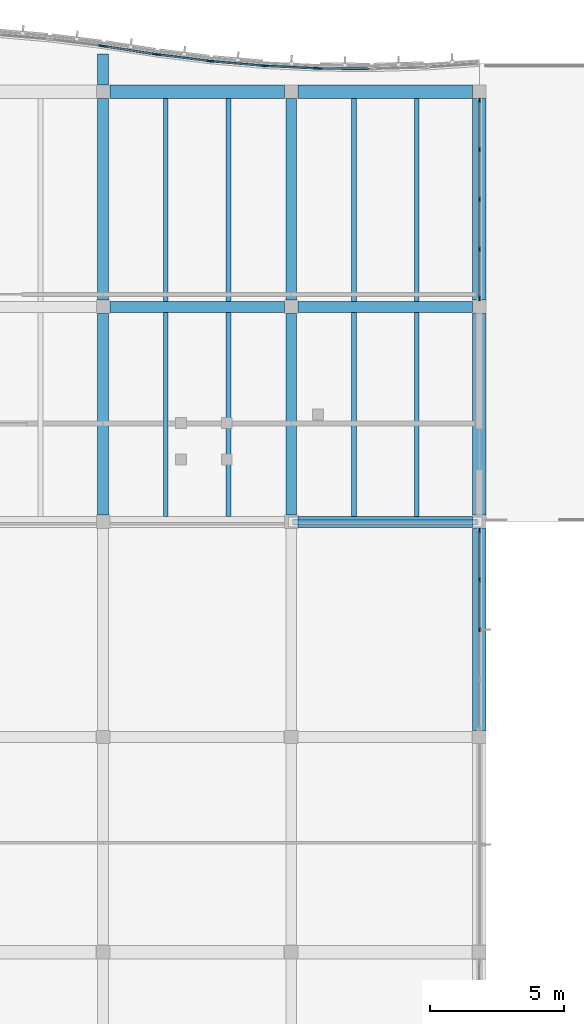
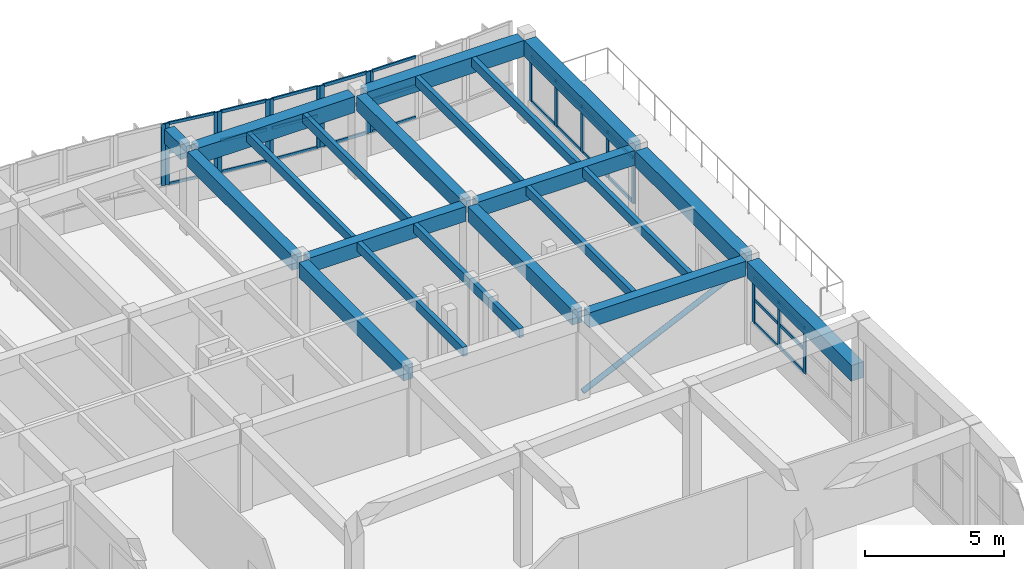
# One storey, part 41 of 89: 48 members, 21 beams, 8 elements without a shape of their own.
"""IFC4 building model written with IfcOpenShell, lengths in metres."""

from ifc_helpers import new_model, si_unit, direction, frame, origin, origin_2d, place, context, subcontext, project, spatial, rectangle, hollow_circle, extrude, material, layer, layer_set, material_profile, profile_set, type_object, element, aggregate, save


model = new_model("IFC4")

# Units and contexts
model_context = context("Model", 3, precision=1e-05, world=origin(), true_north=direction((0.0, 1.0)))
body_context = subcontext(model_context, "Body", "Model", "MODEL_VIEW")
ifc_project = project(units=[si_unit("LENGTHUNIT", "METRE"), si_unit("AREAUNIT", "SQUARE_METRE"), si_unit("VOLUMEUNIT", "CUBIC_METRE"), si_unit("PLANEANGLEUNIT", "RADIAN"), si_unit("MASSUNIT", "GRAM", prefix="KILO")], contexts=[model_context])

# Site, building, storey
site_placement = place(None, origin())
site = spatial("IfcSite", under=ifc_project, at=site_placement, CompositionType="ELEMENT")
building_placement = place(site_placement, origin())
building = spatial("IfcBuilding", under=site, at=building_placement, Name="Tonlespit Floodbar School", CompositionType="ELEMENT")
storey_placement = place(building_placement, frame((0.0, 0.0, 4.5)))
storey = spatial("IfcBuildingStorey", under=building, at=storey_placement, Name="L01", CompositionType="ELEMENT", Elevation=4.5)

# Beams
ifc_material_1 = material(Name="Concrete C40/50", Category="concrete")
ifc_material_profile_1 = material_profile(ifc_material_1, rectangle(XDim=0.39990234375, YDim=0.64990234375, at=origin_2d()), Name="RC 400x650")
ifc_profile_set_1 = profile_set([ifc_material_profile_1], Name="Concrete C40/50")
beam_type_1 = type_object("IfcBeamType", Name="Beam_RC_400x650", PredefinedType="BEAM", material=ifc_profile_set_1)
for number, where, z_axis, x_axis, name in (
    (1, (169.25, 104.0, 3.322998046875), (1.0, 0.0, 0.0), (0.0, 1.0, 0.0), "L01 girder 0644"),
    (2, (162.25, 112.0, 3.320068359375), (1.0, 0.0, 0.0), (0.0, 1.0, 0.0), "L01 girder 0653"),
    (3, (169.25, 112.0, 3.322998046875), (1.0, 0.0, 0.0), (0.0, 1.0, 0.0), "L01 girder 0654"),
):
    element("IfcBeam", number, at=place(storey_placement, frame(where, z_axis=z_axis, x_axis=x_axis)), inside=storey, type_object=beam_type_1, Name=name, PredefinedType="BEAM", context=body_context, shape_type="SweptSolid", body=[
        extrude(rectangle(XDim=0.39990234375, YDim=0.64990234375, at=origin_2d()), origin(), (0.0, 0.0, 1.0), 6.5),
    ])
for number, where, z_axis, x_axis, name in (
    (4, (162.0, 104.25, 3.320068359375), (0.0, 1.0, 0.0), (-1.0, 0.0, 0.0), "L01 girder 0773"),
    (5, (162.0, 112.25, 3.320068359375), (0.0, 1.0, 0.0), (-1.0, 0.0, 0.0), "L01 girder 0774"),
    (6, (169.0, 104.25, 3.320068359375), (0.0, 1.0, 0.0), (-1.0, 0.0, 0.0), "L01 girder 0780"),
    (7, (169.0, 112.25, 3.320068359375), (0.0, 1.0, 0.0), (-1.0, 0.0, 0.0), "L01 girder 0781"),
):
    element("IfcBeam", number, at=place(storey_placement, frame(where, z_axis=z_axis, x_axis=x_axis)), inside=storey, type_object=beam_type_1, Name=name, PredefinedType="BEAM", context=body_context, shape_type="SweptSolid", body=[
        extrude(rectangle(XDim=0.39990234375, YDim=0.64990234375, at=origin_2d()), origin(), (0.0, 0.0, 1.0), 7.5),
    ])
beam_placement = place(storey_placement, frame((162.0, 120.25, 3.320068359375), z_axis=(0.0, 1.0, 0.0), x_axis=(-1.0, 0.0, 0.0)))
element("IfcBeam", 8, at=beam_placement, inside=storey, type_object=beam_type_1, Name="L01 north street wave cantilever bracket", PredefinedType="BEAM", context=body_context, shape_type="SweptSolid", body=[
    extrude(rectangle(XDim=0.39990234375, YDim=0.64990234375, at=origin_2d()), origin(), (0.0, 0.0, 1.0), 1.15576171875),
])

# Member
ifc_material_2 = material(Name="Steel S355", Category="steel")
ifc_material_profile_2 = material_profile(ifc_material_2, hollow_circle(Radius=0.109619140625, WallThickness=0.008056640625, at=origin_2d()), Name="CHS 219.1x8")
ifc_profile_set_2 = profile_set([ifc_material_profile_2], Name="Steel S355")
member_type_1 = type_object("IfcMemberType", Name="Brace_Ext_CHS219", PredefinedType="BRACE", material=ifc_profile_set_2)
member_1_placement = place(storey_placement, frame((169.080078125, 104.0, 0.14990234375), z_axis=(0.905763109205, 0.0, 0.423784367342), x_axis=(0.0, 1.0, 0.0)))
element("IfcMember", 9, at=member_1_placement, inside=storey, type_object=member_type_1, Name="L01 exposed deconstructivist lateral brace 4", PredefinedType="BRACE", context=body_context, shape_type="SweptSolid", body=[
    extrude(hollow_circle(Radius=0.109619140625, WallThickness=0.008056640625, at=origin_2d()), origin(), (0.0, 0.0, 1.0), 7.551513671875),
])

# Curtain wall, members
ifc_material_3 = material(Name="Anodised Aluminium", Category="aluminium")
ifc_layer_1 = layer(ifc_material_3, 0.159912109375)
ifc_layer_set_1 = layer_set([ifc_layer_1], Name="Anodised Aluminium")
curtain_wall_type_1 = type_object("IfcCurtainWallType", Name="CurtainWall_1950x2700", PredefinedType="NOTDEFINED", material=ifc_layer_set_1)
curtain_wall_1_placement = place(storey_placement, origin())
curtain_wall_1 = element("IfcCurtainWall", 10, at=curtain_wall_1_placement, inside=storey, type_object=curtain_wall_type_1, Name="L01 unitised curtain wall 0400", PredefinedType="NOTDEFINED")
ifc_material_profile_3 = material_profile(ifc_material_3, rectangle(XDim=0.06494140625, YDim=0.14990234375, at=origin_2d()), Name="ALU M65x150")
ifc_profile_set_3 = profile_set([ifc_material_profile_3], Name="Anodised Aluminium")
member_type_2 = type_object("IfcMemberType", Name="CW_Mullion_65x150", PredefinedType="MULLION", material=ifc_profile_set_3)
member_2_placement = place(storey_placement, frame((162.071533203125, 121.694580078125, 0.949951171875), z_axis=(0.0, 0.0, 1.0), x_axis=(0.153796288585, 0.988102576465, 0.0)))
member_2 = element("IfcMember", 11, at=member_2_placement, type_object=member_type_2, Name="CW-04 mullion 1", PredefinedType="MULLION", context=body_context, shape_type="SweptSolid", body=[
    extrude(rectangle(XDim=0.06494140625, YDim=0.14990234375, at=origin_2d()), origin(), (0.0, 0.0, 1.0), 2.699951171875),
])
member_3_placement = place(storey_placement, frame((163.928466796875, 121.405517578125, 0.949951171875), z_axis=(0.0, 0.0, 1.0), x_axis=(0.153796288585, 0.988102576465, 0.0)))
member_3 = element("IfcMember", 12, at=member_3_placement, type_object=member_type_2, Name="CW-04 mullion 2", PredefinedType="MULLION", context=body_context, shape_type="SweptSolid", body=[
    extrude(rectangle(XDim=0.06494140625, YDim=0.14990234375, at=origin_2d()), origin(), (0.0, 0.0, 1.0), 2.699951171875),
])

curtain_wall_2_placement = place(storey_placement, origin())
curtain_wall_2 = element("IfcCurtainWall", 13, at=curtain_wall_2_placement, inside=storey, type_object=curtain_wall_type_1, Name="L01 unitised curtain wall 0402", PredefinedType="NOTDEFINED")
member_4_placement = place(storey_placement, frame((166.072265625, 121.135986328125, 0.949951171875), z_axis=(0.0, 0.0, 1.0), x_axis=(0.086531117454, 0.996249148412, 0.0)))
member_4 = element("IfcMember", 14, at=member_4_placement, type_object=member_type_2, Name="CW-04 mullion 1", PredefinedType="MULLION", context=body_context, shape_type="SweptSolid", body=[
    extrude(rectangle(XDim=0.06494140625, YDim=0.14990234375, at=origin_2d()), origin(), (0.0, 0.0, 1.0), 2.699951171875),
])
member_5_placement = place(storey_placement, frame((167.927734375, 120.974853515625, 0.949951171875), z_axis=(0.0, 0.0, 1.0), x_axis=(0.086531117454, 0.996249148412, 0.0)))
member_5 = element("IfcMember", 15, at=member_5_placement, type_object=member_type_2, Name="CW-04 mullion 2", PredefinedType="MULLION", context=body_context, shape_type="SweptSolid", body=[
    extrude(rectangle(XDim=0.06494140625, YDim=0.14990234375, at=origin_2d()), origin(), (0.0, 0.0, 1.0), 2.699951171875),
])

# Curtain wall, member
ifc_layer_2 = layer(ifc_material_3, 0.159912109375)
ifc_layer_set_2 = layer_set([ifc_layer_2], Name="Anodised Aluminium")
curtain_wall_type_2 = type_object("IfcCurtainWallType", Name="CurtainWall_1900x2700", PredefinedType="NOTDEFINED", material=ifc_layer_set_2)
curtain_wall_3_placement = place(storey_placement, origin())
curtain_wall_3 = element("IfcCurtainWall", 16, at=curtain_wall_3_placement, inside=storey, type_object=curtain_wall_type_2, Name="L01 unitised curtain wall 0404", PredefinedType="NOTDEFINED")
member_6_placement = place(storey_placement, frame((170.072509765625, 120.87158203125, 0.949951171875), z_axis=(0.0, 0.0, 1.0), x_axis=(0.009582893292, 0.999954083024, 0.0)))
member_6 = element("IfcMember", 17, at=member_6_placement, type_object=member_type_2, Name="CW-05 mullion 1", PredefinedType="MULLION", context=body_context, shape_type="SweptSolid", body=[
    extrude(rectangle(XDim=0.06494140625, YDim=0.14990234375, at=origin_2d()), origin(), (0.0, 0.0, 1.0), 2.699951171875),
])

curtain_wall_4_placement = place(storey_placement, origin())
curtain_wall_4 = element("IfcCurtainWall", 18, at=curtain_wall_4_placement, inside=storey, type_object=curtain_wall_type_1, Name="L01 unitised curtain wall 0399", PredefinedType="NOTDEFINED")
ifc_material_profile_4 = material_profile(ifc_material_3, rectangle(XDim=0.06494140625, YDim=0.179931640625, at=origin_2d()), Name="ALU M65x180")
ifc_profile_set_4 = profile_set([ifc_material_profile_4], Name="Anodised Aluminium")
member_type_3 = type_object("IfcMemberType", Name="CW_Mullion_65x180", PredefinedType="MULLION", material=ifc_profile_set_4)
member_7_placement = place(storey_placement, frame((161.927978515625, 121.71484375, 0.949951171875), z_axis=(0.0, 0.0, 1.0), x_axis=(0.125013803299, 0.992155002499, 0.0)))
member_7 = element("IfcMember", 19, at=member_7_placement, type_object=member_type_3, Name="CW-04 mullion 2", PredefinedType="MULLION", context=body_context, shape_type="SweptSolid", body=[
    extrude(rectangle(XDim=0.06494140625, YDim=0.179931640625, at=origin_2d()), origin(), (0.0, 0.0, 1.0), 2.699951171875),
])
aggregate(curtain_wall_4, [member_7])

# Curtain wall, members
curtain_wall_5_placement = place(storey_placement, origin())
curtain_wall_5 = element("IfcCurtainWall", 20, at=curtain_wall_5_placement, inside=storey, type_object=curtain_wall_type_1, Name="L01 unitised curtain wall 0401", PredefinedType="NOTDEFINED")
member_8_placement = place(storey_placement, frame((164.072021484375, 121.38525390625, 0.949951171875), z_axis=(0.0, 0.0, 1.0), x_axis=(0.125013803299, 0.992155002499, 0.0)))
member_8 = element("IfcMember", 21, at=member_8_placement, type_object=member_type_3, Name="CW-04 mullion 1", PredefinedType="MULLION", context=body_context, shape_type="SweptSolid", body=[
    extrude(rectangle(XDim=0.06494140625, YDim=0.179931640625, at=origin_2d()), origin(), (0.0, 0.0, 1.0), 2.699951171875),
])
member_9_placement = place(storey_placement, frame((165.927978515625, 121.1513671875, 0.949951171875), z_axis=(0.0, 0.0, 1.0), x_axis=(0.125013803299, 0.992155002499, 0.0)))
member_9 = element("IfcMember", 22, at=member_9_placement, type_object=member_type_3, Name="CW-04 mullion 2", PredefinedType="MULLION", context=body_context, shape_type="SweptSolid", body=[
    extrude(rectangle(XDim=0.06494140625, YDim=0.179931640625, at=origin_2d()), origin(), (0.0, 0.0, 1.0), 2.699951171875),
])

curtain_wall_6_placement = place(storey_placement, origin())
curtain_wall_6 = element("IfcCurtainWall", 23, at=curtain_wall_6_placement, inside=storey, type_object=curtain_wall_type_2, Name="L01 unitised curtain wall 0403", PredefinedType="NOTDEFINED")
member_10_placement = place(storey_placement, frame((168.072509765625, 120.965087890625, 0.949951171875), z_axis=(0.0, 0.0, 1.0), x_axis=(0.048121270216, 0.998841500616, 0.0)))
member_10 = element("IfcMember", 24, at=member_10_placement, type_object=member_type_3, Name="CW-05 mullion 1", PredefinedType="MULLION", context=body_context, shape_type="SweptSolid", body=[
    extrude(rectangle(XDim=0.06494140625, YDim=0.179931640625, at=origin_2d()), origin(), (0.0, 0.0, 1.0), 2.699951171875),
])
member_11_placement = place(storey_placement, frame((169.927490234375, 120.875732421875, 0.949951171875), z_axis=(0.0, 0.0, 1.0), x_axis=(0.048121270216, 0.998841500616, 0.0)))
member_11 = element("IfcMember", 25, at=member_11_placement, type_object=member_type_3, Name="CW-05 mullion 2", PredefinedType="MULLION", context=body_context, shape_type="SweptSolid", body=[
    extrude(rectangle(XDim=0.06494140625, YDim=0.179931640625, at=origin_2d()), origin(), (0.0, 0.0, 1.0), 2.699951171875),
])

ifc_layer_3 = layer(ifc_material_3, 0.159912109375)
ifc_layer_set_3 = layer_set([ifc_layer_3], Name="Anodised Aluminium")
curtain_wall_type_3 = type_object("IfcCurtainWallType", Name="CurtainWall_7400x2000", PredefinedType="NOTDEFINED", material=ifc_layer_set_3)
curtain_wall_7_placement = place(storey_placement, origin())
curtain_wall_7 = element("IfcCurtainWall", 26, at=curtain_wall_7_placement, inside=storey, type_object=curtain_wall_type_3, Name="L01 unitised curtain wall 0407", PredefinedType="NOTDEFINED")
member_12_placement = place(storey_placement, frame((176.0, 119.677490234375, 0.949951171875), z_axis=(0.0, 0.0, 1.0), x_axis=(1.0, 0.0, 0.0)))
member_12 = element("IfcMember", 27, at=member_12_placement, type_object=member_type_3, Name="CW-60 mullion 1", PredefinedType="MULLION", context=body_context, shape_type="SweptSolid", body=[
    extrude(rectangle(XDim=0.06494140625, YDim=0.179931640625, at=origin_2d()), origin(), (0.0, 0.0, 1.0), 1.998046875),
])
member_13_placement = place(storey_placement, frame((176.0, 117.85498046875, 0.949951171875), z_axis=(0.0, 0.0, 1.0), x_axis=(1.0, 0.0, 0.0)))
member_13 = element("IfcMember", 28, at=member_13_placement, type_object=member_type_3, Name="CW-60 mullion 2", PredefinedType="MULLION", context=body_context, shape_type="SweptSolid", body=[
    extrude(rectangle(XDim=0.06494140625, YDim=0.179931640625, at=origin_2d()), origin(), (0.0, 0.0, 1.0), 1.998046875),
])
member_14_placement = place(storey_placement, frame((176.0, 116.0, 0.949951171875), z_axis=(0.0, 0.0, 1.0), x_axis=(1.0, 0.0, 0.0)))
member_14 = element("IfcMember", 29, at=member_14_placement, type_object=member_type_3, Name="CW-60 mullion 3", PredefinedType="MULLION", context=body_context, shape_type="SweptSolid", body=[
    extrude(rectangle(XDim=0.06494140625, YDim=0.179931640625, at=origin_2d()), origin(), (0.0, 0.0, 1.0), 1.998046875),
])
member_15_placement = place(storey_placement, frame((176.0, 114.14501953125, 0.949951171875), z_axis=(0.0, 0.0, 1.0), x_axis=(1.0, 0.0, 0.0)))
member_15 = element("IfcMember", 30, at=member_15_placement, type_object=member_type_3, Name="CW-60 mullion 4", PredefinedType="MULLION", context=body_context, shape_type="SweptSolid", body=[
    extrude(rectangle(XDim=0.06494140625, YDim=0.179931640625, at=origin_2d()), origin(), (0.0, 0.0, 1.0), 1.998046875),
])
member_16_placement = place(storey_placement, frame((176.0, 112.322509765625, 0.949951171875), z_axis=(0.0, 0.0, 1.0), x_axis=(1.0, 0.0, 0.0)))
member_16 = element("IfcMember", 31, at=member_16_placement, type_object=member_type_3, Name="CW-60 mullion 5", PredefinedType="MULLION", context=body_context, shape_type="SweptSolid", body=[
    extrude(rectangle(XDim=0.06494140625, YDim=0.179931640625, at=origin_2d()), origin(), (0.0, 0.0, 1.0), 1.998046875),
])

curtain_wall_8_placement = place(storey_placement, origin())
curtain_wall_8 = element("IfcCurtainWall", 32, at=curtain_wall_8_placement, inside=storey, type_object=curtain_wall_type_3, Name="L01 unitised curtain wall 0411", PredefinedType="NOTDEFINED")
member_17_placement = place(storey_placement, frame((176.0, 103.677490234375, 0.949951171875), z_axis=(0.0, 0.0, 1.0), x_axis=(1.0, 0.0, 0.0)))
member_17 = element("IfcMember", 33, at=member_17_placement, type_object=member_type_3, Name="CW-60 mullion 1", PredefinedType="MULLION", context=body_context, shape_type="SweptSolid", body=[
    extrude(rectangle(XDim=0.06494140625, YDim=0.179931640625, at=origin_2d()), origin(), (0.0, 0.0, 1.0), 2.0),
])
member_18_placement = place(storey_placement, frame((176.0, 101.85498046875, 0.949951171875), z_axis=(0.0, 0.0, 1.0), x_axis=(1.0, 0.0, 0.0)))
member_18 = element("IfcMember", 34, at=member_18_placement, type_object=member_type_3, Name="CW-60 mullion 2", PredefinedType="MULLION", context=body_context, shape_type="SweptSolid", body=[
    extrude(rectangle(XDim=0.06494140625, YDim=0.179931640625, at=origin_2d()), origin(), (0.0, 0.0, 1.0), 2.0),
])
member_19_placement = place(storey_placement, frame((176.0, 100.0, 0.949951171875), z_axis=(0.0, 0.0, 1.0), x_axis=(1.0, 0.0, 0.0)))
member_19 = element("IfcMember", 35, at=member_19_placement, type_object=member_type_3, Name="CW-60 mullion 3", PredefinedType="MULLION", context=body_context, shape_type="SweptSolid", body=[
    extrude(rectangle(XDim=0.06494140625, YDim=0.179931640625, at=origin_2d()), origin(), (0.0, 0.0, 1.0), 2.0),
])

# Member
ifc_material_profile_5 = material_profile(ifc_material_3, rectangle(XDim=0.06494140625, YDim=0.1201171875, at=origin_2d()), Name="ALU T65x120")
ifc_profile_set_5 = profile_set([ifc_material_profile_5], Name="Anodised Aluminium")
member_type_4 = type_object("IfcMemberType", Name="CW_Transom_65x120", PredefinedType="USERDEFINED", material=ifc_profile_set_5)
member_20_placement = place(storey_placement, frame((162.103759765625, 121.689453125, 0.982421875), z_axis=(0.988097838313, -0.15382672694, 0.0), x_axis=(0.15382672694, 0.988097838313, 0.0)))
member_20 = element("IfcMember", 36, at=member_20_placement, type_object=member_type_4, Name="CW-04 transom 1.1", ObjectType="TRANSOM", PredefinedType="USERDEFINED", context=body_context, shape_type="SweptSolid", body=[
    extrude(rectangle(XDim=0.06494140625, YDim=0.1201171875, at=origin_2d()), origin(), (0.0, 0.0, 1.0), 1.81396484375),
])

member_21_placement = place(storey_placement, frame((162.103759765625, 121.689453125, 2.35400390625), z_axis=(0.988097838313, -0.15382672694, 0.0), x_axis=(0.15382672694, 0.988097838313, 0.0)))
member_21 = element("IfcMember", 37, at=member_21_placement, type_object=member_type_4, Name="CW-04 transom 1.2", ObjectType="TRANSOM", PredefinedType="USERDEFINED", context=body_context, shape_type="SweptSolid", body=[
    extrude(rectangle(XDim=0.06494140625, YDim=0.1201171875, at=origin_2d()), origin(), (0.0, 0.0, 1.0), 1.81396484375),
])

member_22_placement = place(storey_placement, frame((162.103759765625, 121.689453125, 3.617431640625), z_axis=(0.988097838313, -0.15382672694, 0.0), x_axis=(0.15382672694, 0.988097838313, 0.0)))
member_22 = element("IfcMember", 38, at=member_22_placement, type_object=member_type_4, Name="CW-04 transom 1.3", ObjectType="TRANSOM", PredefinedType="USERDEFINED", context=body_context, shape_type="SweptSolid", body=[
    extrude(rectangle(XDim=0.06494140625, YDim=0.1201171875, at=origin_2d()), origin(), (0.0, 0.0, 1.0), 1.81396484375),
])

aggregate(curtain_wall_1, [member_2, member_3, member_20, member_21, member_22])

member_23_placement = place(storey_placement, frame((166.1044921875, 121.133056640625, 0.982421875), z_axis=(0.996251281774, -0.086506552139, 0.0), x_axis=(0.086506552139, 0.996251281774, 0.0)))
member_23 = element("IfcMember", 39, at=member_23_placement, type_object=member_type_4, Name="CW-04 transom 1.1", ObjectType="TRANSOM", PredefinedType="USERDEFINED", context=body_context, shape_type="SweptSolid", body=[
    extrude(rectangle(XDim=0.06494140625, YDim=0.1201171875, at=origin_2d()), origin(), (0.0, 0.0, 1.0), 1.7978515625),
])

member_24_placement = place(storey_placement, frame((166.1044921875, 121.133056640625, 2.35400390625), z_axis=(0.996251281774, -0.086506552139, 0.0), x_axis=(0.086506552139, 0.996251281774, 0.0)))
member_24 = element("IfcMember", 40, at=member_24_placement, type_object=member_type_4, Name="CW-04 transom 1.2", ObjectType="TRANSOM", PredefinedType="USERDEFINED", context=body_context, shape_type="SweptSolid", body=[
    extrude(rectangle(XDim=0.06494140625, YDim=0.1201171875, at=origin_2d()), origin(), (0.0, 0.0, 1.0), 1.7978515625),
])

member_25_placement = place(storey_placement, frame((166.1044921875, 121.133056640625, 3.617431640625), z_axis=(0.996251281774, -0.086506552139, 0.0), x_axis=(0.086506552139, 0.996251281774, 0.0)))
member_25 = element("IfcMember", 41, at=member_25_placement, type_object=member_type_4, Name="CW-04 transom 1.3", ObjectType="TRANSOM", PredefinedType="USERDEFINED", context=body_context, shape_type="SweptSolid", body=[
    extrude(rectangle(XDim=0.06494140625, YDim=0.1201171875, at=origin_2d()), origin(), (0.0, 0.0, 1.0), 1.7978515625),
])

aggregate(curtain_wall_2, [member_4, member_5, member_23, member_24, member_25])

member_26_placement = place(storey_placement, frame((170.10498046875, 120.87109375, 0.982421875), z_axis=(0.999954428693, -0.00954675532, 0.0), x_axis=(0.00954675532, 0.999954428693, 0.0)))
member_26 = element("IfcMember", 42, at=member_26_placement, type_object=member_type_4, Name="CW-05 transom 1.1", ObjectType="TRANSOM", PredefinedType="USERDEFINED", context=body_context, shape_type="SweptSolid", body=[
    extrude(rectangle(XDim=0.06494140625, YDim=0.1201171875, at=origin_2d()), origin(), (0.0, 0.0, 1.0), 1.7900390625),
])

member_27_placement = place(storey_placement, frame((170.10498046875, 120.87109375, 2.35400390625), z_axis=(0.999954428693, -0.00954675532, 0.0), x_axis=(0.00954675532, 0.999954428693, 0.0)))
member_27 = element("IfcMember", 43, at=member_27_placement, type_object=member_type_4, Name="CW-05 transom 1.2", ObjectType="TRANSOM", PredefinedType="USERDEFINED", context=body_context, shape_type="SweptSolid", body=[
    extrude(rectangle(XDim=0.06494140625, YDim=0.1201171875, at=origin_2d()), origin(), (0.0, 0.0, 1.0), 1.7900390625),
])

member_28_placement = place(storey_placement, frame((170.10498046875, 120.87109375, 3.617431640625), z_axis=(0.999954428693, -0.00954675532, 0.0), x_axis=(0.00954675532, 0.999954428693, 0.0)))
member_28 = element("IfcMember", 44, at=member_28_placement, type_object=member_type_4, Name="CW-05 transom 1.3", ObjectType="TRANSOM", PredefinedType="USERDEFINED", context=body_context, shape_type="SweptSolid", body=[
    extrude(rectangle(XDim=0.06494140625, YDim=0.1201171875, at=origin_2d()), origin(), (0.0, 0.0, 1.0), 1.7900390625),
])

aggregate(curtain_wall_3, [member_6, member_26, member_27, member_28])

ifc_material_profile_6 = material_profile(ifc_material_3, rectangle(XDim=0.06494140625, YDim=0.139892578125, at=origin_2d()), Name="ALU T65x140")
ifc_profile_set_6 = profile_set([ifc_material_profile_6], Name="Anodised Aluminium")
member_type_5 = type_object("IfcMemberType", Name="CW_Transom_65x140", PredefinedType="USERDEFINED", material=ifc_profile_set_6)
member_29_placement = place(storey_placement, frame((164.104248046875, 121.381103515625, 0.982421875), z_axis=(0.992165142165, -0.124933304901, 0.0), x_axis=(0.124933304901, 0.992165142165, 0.0)))
member_29 = element("IfcMember", 45, at=member_29_placement, type_object=member_type_5, Name="CW-04 transom 1.1", ObjectType="TRANSOM", PredefinedType="USERDEFINED", context=body_context, shape_type="SweptSolid", body=[
    extrude(rectangle(XDim=0.06494140625, YDim=0.139892578125, at=origin_2d()), origin(), (0.0, 0.0, 1.0), 1.8056640625),
])

member_30_placement = place(storey_placement, frame((164.104248046875, 121.381103515625, 2.35400390625), z_axis=(0.992165142165, -0.124933304901, 0.0), x_axis=(0.124933304901, 0.992165142165, 0.0)))
member_30 = element("IfcMember", 46, at=member_30_placement, type_object=member_type_5, Name="CW-04 transom 1.2", ObjectType="TRANSOM", PredefinedType="USERDEFINED", context=body_context, shape_type="SweptSolid", body=[
    extrude(rectangle(XDim=0.06494140625, YDim=0.139892578125, at=origin_2d()), origin(), (0.0, 0.0, 1.0), 1.8056640625),
])

member_31_placement = place(storey_placement, frame((164.104248046875, 121.381103515625, 3.617431640625), z_axis=(0.992165142165, -0.124933304901, 0.0), x_axis=(0.124933304901, 0.992165142165, 0.0)))
member_31 = element("IfcMember", 47, at=member_31_placement, type_object=member_type_5, Name="CW-04 transom 1.3", ObjectType="TRANSOM", PredefinedType="USERDEFINED", context=body_context, shape_type="SweptSolid", body=[
    extrude(rectangle(XDim=0.06494140625, YDim=0.139892578125, at=origin_2d()), origin(), (0.0, 0.0, 1.0), 1.8056640625),
])

aggregate(curtain_wall_5, [member_8, member_9, member_29, member_30, member_31])

member_32_placement = place(storey_placement, frame((168.10498046875, 120.96337890625, 0.982421875), z_axis=(0.998843034795, -0.048089415069, 0.0), x_axis=(0.048089415069, 0.998843034795, 0.0)))
member_32 = element("IfcMember", 48, at=member_32_placement, type_object=member_type_5, Name="CW-05 transom 1.1", ObjectType="TRANSOM", PredefinedType="USERDEFINED", context=body_context, shape_type="SweptSolid", body=[
    extrude(rectangle(XDim=0.06494140625, YDim=0.139892578125, at=origin_2d()), origin(), (0.0, 0.0, 1.0), 1.7919921875),
])

member_33_placement = place(storey_placement, frame((168.10498046875, 120.96337890625, 2.35400390625), z_axis=(0.998843034795, -0.048089415069, 0.0), x_axis=(0.048089415069, 0.998843034795, 0.0)))
member_33 = element("IfcMember", 49, at=member_33_placement, type_object=member_type_5, Name="CW-05 transom 1.2", ObjectType="TRANSOM", PredefinedType="USERDEFINED", context=body_context, shape_type="SweptSolid", body=[
    extrude(rectangle(XDim=0.06494140625, YDim=0.139892578125, at=origin_2d()), origin(), (0.0, 0.0, 1.0), 1.7919921875),
])

member_34_placement = place(storey_placement, frame((168.10498046875, 120.96337890625, 3.617431640625), z_axis=(0.998843034795, -0.048089415069, 0.0), x_axis=(0.048089415069, 0.998843034795, 0.0)))
member_34 = element("IfcMember", 50, at=member_34_placement, type_object=member_type_5, Name="CW-05 transom 1.3", ObjectType="TRANSOM", PredefinedType="USERDEFINED", context=body_context, shape_type="SweptSolid", body=[
    extrude(rectangle(XDim=0.06494140625, YDim=0.139892578125, at=origin_2d()), origin(), (0.0, 0.0, 1.0), 1.7919921875),
])

aggregate(curtain_wall_6, [member_10, member_11, member_32, member_33, member_34])

member_35_placement = place(storey_placement, frame((176.0, 119.64501953125, 0.982421875), z_axis=(0.0, -1.0, 0.0), x_axis=(1.0, 0.0, 0.0)))
member_35 = element("IfcMember", 51, at=member_35_placement, type_object=member_type_5, Name="CW-60 transom 1.1", ObjectType="TRANSOM", PredefinedType="USERDEFINED", context=body_context, shape_type="SweptSolid", body=[
    extrude(rectangle(XDim=0.06494140625, YDim=0.139892578125, at=origin_2d()), origin(), (0.0, 0.0, 1.0), 1.757568359375),
])

member_36_placement = place(storey_placement, frame((176.0, 119.64501953125, 2.91552734375), z_axis=(0.0, -1.0, 0.0), x_axis=(1.0, 0.0, 0.0)))
member_36 = element("IfcMember", 52, at=member_36_placement, type_object=member_type_5, Name="CW-60 transom 1.2", ObjectType="TRANSOM", PredefinedType="USERDEFINED", context=body_context, shape_type="SweptSolid", body=[
    extrude(rectangle(XDim=0.06494140625, YDim=0.139892578125, at=origin_2d()), origin(), (0.0, 0.0, 1.0), 1.757568359375),
])

member_37_placement = place(storey_placement, frame((176.0, 117.822509765625, 0.982421875), z_axis=(0.0, -1.0, 0.0), x_axis=(1.0, 0.0, 0.0)))
member_37 = element("IfcMember", 53, at=member_37_placement, type_object=member_type_5, Name="CW-60 transom 2.1", ObjectType="TRANSOM", PredefinedType="USERDEFINED", context=body_context, shape_type="SweptSolid", body=[
    extrude(rectangle(XDim=0.06494140625, YDim=0.139892578125, at=origin_2d()), origin(), (0.0, 0.0, 1.0), 1.7900390625),
])

member_38_placement = place(storey_placement, frame((176.0, 117.822509765625, 2.91552734375), z_axis=(0.0, -1.0, 0.0), x_axis=(1.0, 0.0, 0.0)))
member_38 = element("IfcMember", 54, at=member_38_placement, type_object=member_type_5, Name="CW-60 transom 2.2", ObjectType="TRANSOM", PredefinedType="USERDEFINED", context=body_context, shape_type="SweptSolid", body=[
    extrude(rectangle(XDim=0.06494140625, YDim=0.139892578125, at=origin_2d()), origin(), (0.0, 0.0, 1.0), 1.7900390625),
])

member_39_placement = place(storey_placement, frame((176.0, 115.967529296875, 0.982421875), z_axis=(0.0, -1.0, 0.0), x_axis=(1.0, 0.0, 0.0)))
member_39 = element("IfcMember", 55, at=member_39_placement, type_object=member_type_5, Name="CW-60 transom 3.1", ObjectType="TRANSOM", PredefinedType="USERDEFINED", context=body_context, shape_type="SweptSolid", body=[
    extrude(rectangle(XDim=0.06494140625, YDim=0.139892578125, at=origin_2d()), origin(), (0.0, 0.0, 1.0), 1.7900390625),
])

member_40_placement = place(storey_placement, frame((176.0, 115.967529296875, 2.91552734375), z_axis=(0.0, -1.0, 0.0), x_axis=(1.0, 0.0, 0.0)))
member_40 = element("IfcMember", 56, at=member_40_placement, type_object=member_type_5, Name="CW-60 transom 3.2", ObjectType="TRANSOM", PredefinedType="USERDEFINED", context=body_context, shape_type="SweptSolid", body=[
    extrude(rectangle(XDim=0.06494140625, YDim=0.139892578125, at=origin_2d()), origin(), (0.0, 0.0, 1.0), 1.7900390625),
])

member_41_placement = place(storey_placement, frame((176.0, 114.112548828125, 0.982421875), z_axis=(0.0, -1.0, 0.0), x_axis=(1.0, 0.0, 0.0)))
member_41 = element("IfcMember", 57, at=member_41_placement, type_object=member_type_5, Name="CW-60 transom 4.1", ObjectType="TRANSOM", PredefinedType="USERDEFINED", context=body_context, shape_type="SweptSolid", body=[
    extrude(rectangle(XDim=0.06494140625, YDim=0.139892578125, at=origin_2d()), origin(), (0.0, 0.0, 1.0), 1.757568359375),
])

member_42_placement = place(storey_placement, frame((176.0, 114.112548828125, 2.91552734375), z_axis=(0.0, -1.0, 0.0), x_axis=(1.0, 0.0, 0.0)))
member_42 = element("IfcMember", 58, at=member_42_placement, type_object=member_type_5, Name="CW-60 transom 4.2", ObjectType="TRANSOM", PredefinedType="USERDEFINED", context=body_context, shape_type="SweptSolid", body=[
    extrude(rectangle(XDim=0.06494140625, YDim=0.139892578125, at=origin_2d()), origin(), (0.0, 0.0, 1.0), 1.757568359375),
])

aggregate(curtain_wall_7, [member_12, member_13, member_14, member_15, member_16, member_35, member_36, member_37, member_38, member_39, member_40, member_41, member_42])

member_43_placement = place(storey_placement, frame((176.0, 103.64501953125, 0.982421875), z_axis=(0.0, -1.0, 0.0), x_axis=(1.0, 0.0, 0.0)))
member_43 = element("IfcMember", 59, at=member_43_placement, type_object=member_type_5, Name="CW-60 transom 1.1", ObjectType="TRANSOM", PredefinedType="USERDEFINED", context=body_context, shape_type="SweptSolid", body=[
    extrude(rectangle(XDim=0.06494140625, YDim=0.139892578125, at=origin_2d()), origin(), (0.0, 0.0, 1.0), 1.757568359375),
])

member_44_placement = place(storey_placement, frame((176.0, 103.64501953125, 1.989990234375), z_axis=(0.0, -1.0, 0.0), x_axis=(1.0, 0.0, 0.0)))
member_44 = element("IfcMember", 60, at=member_44_placement, type_object=member_type_5, Name="CW-60 transom 1.2", ObjectType="TRANSOM", PredefinedType="USERDEFINED", context=body_context, shape_type="SweptSolid", body=[
    extrude(rectangle(XDim=0.06494140625, YDim=0.139892578125, at=origin_2d()), origin(), (0.0, 0.0, 1.0), 1.757568359375),
])

member_45_placement = place(storey_placement, frame((176.0, 103.64501953125, 2.91748046875), z_axis=(0.0, -1.0, 0.0), x_axis=(1.0, 0.0, 0.0)))
member_45 = element("IfcMember", 61, at=member_45_placement, type_object=member_type_5, Name="CW-60 transom 1.3", ObjectType="TRANSOM", PredefinedType="USERDEFINED", context=body_context, shape_type="SweptSolid", body=[
    extrude(rectangle(XDim=0.06494140625, YDim=0.139892578125, at=origin_2d()), origin(), (0.0, 0.0, 1.0), 1.757568359375),
])

member_46_placement = place(storey_placement, frame((176.0, 101.822509765625, 0.982421875), z_axis=(0.0, -1.0, 0.0), x_axis=(1.0, 0.0, 0.0)))
member_46 = element("IfcMember", 62, at=member_46_placement, type_object=member_type_5, Name="CW-60 transom 2.1", ObjectType="TRANSOM", PredefinedType="USERDEFINED", context=body_context, shape_type="SweptSolid", body=[
    extrude(rectangle(XDim=0.06494140625, YDim=0.139892578125, at=origin_2d()), origin(), (0.0, 0.0, 1.0), 1.7900390625),
])

member_47_placement = place(storey_placement, frame((176.0, 101.822509765625, 1.989990234375), z_axis=(0.0, -1.0, 0.0), x_axis=(1.0, 0.0, 0.0)))
member_47 = element("IfcMember", 63, at=member_47_placement, type_object=member_type_5, Name="CW-60 transom 2.2", ObjectType="TRANSOM", PredefinedType="USERDEFINED", context=body_context, shape_type="SweptSolid", body=[
    extrude(rectangle(XDim=0.06494140625, YDim=0.139892578125, at=origin_2d()), origin(), (0.0, 0.0, 1.0), 1.7900390625),
])

member_48_placement = place(storey_placement, frame((176.0, 101.822509765625, 2.91748046875), z_axis=(0.0, -1.0, 0.0), x_axis=(1.0, 0.0, 0.0)))
member_48 = element("IfcMember", 64, at=member_48_placement, type_object=member_type_5, Name="CW-60 transom 2.3", ObjectType="TRANSOM", PredefinedType="USERDEFINED", context=body_context, shape_type="SweptSolid", body=[
    extrude(rectangle(XDim=0.06494140625, YDim=0.139892578125, at=origin_2d()), origin(), (0.0, 0.0, 1.0), 1.7900390625),
])

aggregate(curtain_wall_8, [member_17, member_18, member_19, member_43, member_44, member_45, member_46, member_47, member_48])

# Beams
ifc_material_4 = material(Name="Glulam GL28h", Category="wood")
ifc_material_profile_7 = material_profile(ifc_material_4, rectangle(XDim=0.179931640625, YDim=0.39990234375, at=origin_2d()), Name="GL 180x400")
ifc_profile_set_7 = profile_set([ifc_material_profile_7], Name="Glulam GL28h")
beam_type_2 = type_object("IfcBeamType", Name="Joist_GL_180x400", PredefinedType="JOIST", material=ifc_profile_set_7)
for number, where, z_axis, x_axis, name in (
    (65, (164.333251953125, 104.199951171875, 3.445068359375), (0.0, 1.0, 0.0), (-1.0, 0.0, 0.0), "L01 secondary joist 0894"),
    (66, (166.666748046875, 104.199951171875, 3.445068359375), (0.0, 1.0, 0.0), (-1.0, 0.0, 0.0), "L01 secondary joist 0895"),
    (67, (171.333251953125, 104.199951171875, 3.447998046875), (0.0, 1.0, 0.0), (-1.0, 0.0, 0.0), "L01 secondary joist 0896"),
    (68, (173.666748046875, 104.199951171875, 3.447998046875), (0.0, 1.0, 0.0), (-1.0, 0.0, 0.0), "L01 secondary joist 0897"),
):
    element("IfcBeam", number, at=place(storey_placement, frame(where, z_axis=z_axis, x_axis=x_axis)), inside=storey, type_object=beam_type_2, Name=name, PredefinedType="JOIST", context=body_context, shape_type="SweptSolid", body=[
        extrude(rectangle(XDim=0.179931640625, YDim=0.39990234375, at=origin_2d()), origin(), (0.0, 0.0, 1.0), 7.60009765625),
    ])
for number, where, z_axis, x_axis, name in (
    (69, (164.333251953125, 112.199951171875, 3.445068359375), (0.0, 1.0, 0.0), (-1.0, 0.0, 0.0), "L01 secondary joist 0914"),
    (70, (166.666748046875, 112.199951171875, 3.445068359375), (0.0, 1.0, 0.0), (-1.0, 0.0, 0.0), "L01 secondary joist 0915"),
    (71, (171.333251953125, 112.199951171875, 3.447998046875), (0.0, 1.0, 0.0), (-1.0, 0.0, 0.0), "L01 secondary joist 0916"),
    (72, (173.666748046875, 112.199951171875, 3.447998046875), (0.0, 1.0, 0.0), (-1.0, 0.0, 0.0), "L01 secondary joist 0917"),
):
    element("IfcBeam", number, at=place(storey_placement, frame(where, z_axis=z_axis, x_axis=x_axis)), inside=storey, type_object=beam_type_2, Name=name, PredefinedType="JOIST", context=body_context, shape_type="SweptSolid", body=[
        extrude(rectangle(XDim=0.179931640625, YDim=0.39990234375, at=origin_2d()), origin(), (0.0, 0.0, 1.0), 7.550048828125),
    ])
ifc_material_profile_8 = material_profile(ifc_material_1, rectangle(XDim=0.5, YDim=0.699951171875, at=origin_2d()), Name="RC 500x700")
ifc_profile_set_8 = profile_set([ifc_material_profile_8], Name="Concrete C40/50")
beam_type_3 = type_object("IfcBeamType", Name="Spandrel_RC_500x700", PredefinedType="SPANDREL", material=ifc_profile_set_8)
for number, where, z_axis, x_axis, name in (
    (73, (162.25, 120.0, 3.294921875), (1.0, 0.0, 0.0), (0.0, 1.0, 0.0), "L01 girder 0669"),
    (74, (169.25, 120.0, 3.298095703125), (1.0, 0.0, 0.0), (0.0, 1.0, 0.0), "L01 girder 0670"),
):
    element("IfcBeam", number, at=place(storey_placement, frame(where, z_axis=z_axis, x_axis=x_axis)), inside=storey, type_object=beam_type_3, Name=name, PredefinedType="SPANDREL", context=body_context, shape_type="SweptSolid", body=[
        extrude(rectangle(XDim=0.5, YDim=0.699951171875, at=origin_2d()), origin(), (0.0, 0.0, 1.0), 6.5),
    ])
for number, where, z_axis, x_axis, name in (
    (75, (176.0, 96.25, 3.300048828125), (0.0, 1.0, 0.0), (-1.0, 0.0, 0.0), "L01 girder 0786"),
    (76, (176.0, 104.25, 3.298095703125), (0.0, 1.0, 0.0), (-1.0, 0.0, 0.0), "L01 girder 0787"),
    (77, (176.0, 112.25, 3.298095703125), (0.0, 1.0, 0.0), (-1.0, 0.0, 0.0), "L01 girder 0788"),
):
    element("IfcBeam", number, at=place(storey_placement, frame(where, z_axis=z_axis, x_axis=x_axis)), inside=storey, type_object=beam_type_3, Name=name, PredefinedType="SPANDREL", context=body_context, shape_type="SweptSolid", body=[
        extrude(rectangle(XDim=0.5, YDim=0.699951171875, at=origin_2d()), origin(), (0.0, 0.0, 1.0), 7.5),
    ])

save(model, "model.ifc")
